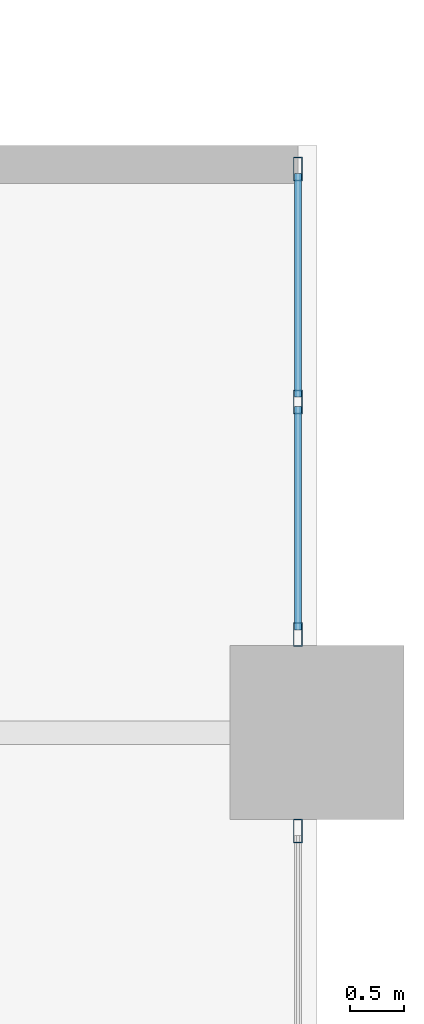
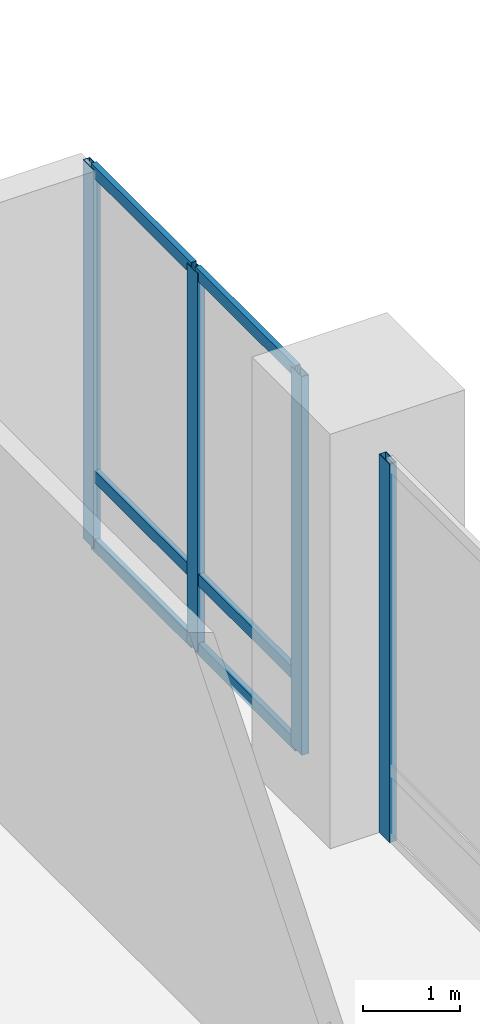
# One storey, part 7 of 23: 10 members, 2 elements without a shape of their own.
"""IFC4 building model written with IfcOpenShell, lengths in metres."""

from ifc_helpers import new_model, si_unit, direction, frame, origin, origin_2d, place, context, subcontext, project, spatial, hollow_rectangle, extrude, material, layer, layer_set, material_profile, profile_set, type_object, element, aggregate, save


model = new_model("IFC4")

# Units and contexts
model_context = context("Model", 3, precision=1e-05, world=origin(), true_north=direction((0.0, 1.0)))
body_context = subcontext(model_context, "Body", "Model", "MODEL_VIEW")
ifc_project = project(units=[si_unit("LENGTHUNIT", "METRE"), si_unit("AREAUNIT", "SQUARE_METRE"), si_unit("VOLUMEUNIT", "CUBIC_METRE"), si_unit("PLANEANGLEUNIT", "RADIAN"), si_unit("MASSUNIT", "GRAM", prefix="KILO")], contexts=[model_context])

# Site, building, storey
site_placement = place(None, origin())
site = spatial("IfcSite", under=ifc_project, at=site_placement, CompositionType="ELEMENT")
building_placement = place(site_placement, origin())
building = spatial("IfcBuilding", under=site, at=building_placement, Name="Koriwani Terraces Tower", CompositionType="ELEMENT")
storey_placement = place(building_placement, frame((0.0, 0.0, 20.800048828125)))
storey = spatial("IfcBuildingStorey", under=building, at=storey_placement, Name="L04", CompositionType="ELEMENT", Elevation=20.800048828125)

# Curtain wall, members
ifc_material = material(Name="Anodised Bronze Aluminium", Category="aluminium")
ifc_layer = layer(ifc_material, 0.199951171875, Name="Anodised Bronze Aluminium")
ifc_layer_set = layer_set([ifc_layer], Name="Anodised Bronze Aluminium")
curtain_wall_type = type_object("IfcCurtainWallType", Name="CW_PODIUM_GALLERIA", PredefinedType="NOTDEFINED", material=ifc_layer_set)
curtain_wall_1_placement = place(storey_placement, origin())
curtain_wall_1 = element("IfcCurtainWall", 1, at=curtain_wall_1_placement, inside=storey, type_object=curtain_wall_type, Name="L04 Unitised Curtain Wall (E_TIP) Bay 1", PredefinedType="NOTDEFINED")
ifc_material_profile_1 = material_profile(ifc_material, hollow_rectangle(XDim=0.0849609375, YDim=0.219970703125, WallThickness=0.008056640625, at=origin_2d()), Name="Anodised Bronze Aluminium", Category="LoadBearing")
ifc_profile_set_1 = profile_set([ifc_material_profile_1], Name="Anodised Bronze Aluminium")
member_type_1 = type_object("IfcMemberType", Name="CW_MULLION_220X85", PredefinedType="MULLION", material=ifc_profile_set_1)
member_1_placement = place(storey_placement, frame((92.22509765625, 38.782470703125, 0.0), z_axis=(0.0, 0.0, 1.0), x_axis=(1.0, 0.0, 0.0)))
member_1 = element("IfcMember", 2, at=member_1_placement, type_object=member_type_1, Name="CW-POD mullion 1", PredefinedType="MULLION", context=body_context, shape_type="SweptSolid", body=[
    extrude(hollow_rectangle(XDim=0.0849609375, YDim=0.219970703125, WallThickness=0.008056640625, at=origin_2d()), origin(), (0.0, 0.0, 1.0), 4.75),
])
member_2_placement = place(storey_placement, frame((92.22509765625, 36.642578125, 0.0), z_axis=(0.0, 0.0, 1.0), x_axis=(1.0, 0.0, 0.0)))
member_2 = element("IfcMember", 3, at=member_2_placement, type_object=member_type_1, Name="CW-POD mullion 2", PredefinedType="MULLION", context=body_context, shape_type="SweptSolid", body=[
    extrude(hollow_rectangle(XDim=0.0849609375, YDim=0.219970703125, WallThickness=0.008056640625, at=origin_2d()), origin(), (0.0, 0.0, 1.0), 4.75),
])
member_3_placement = place(storey_placement, frame((92.22509765625, 34.50244140625, 0.0), z_axis=(0.0, 0.0, 1.0), x_axis=(1.0, 0.0, 0.0)))
member_3 = element("IfcMember", 4, at=member_3_placement, type_object=member_type_1, Name="CW-POD mullion 3", PredefinedType="MULLION", context=body_context, shape_type="SweptSolid", body=[
    extrude(hollow_rectangle(XDim=0.0849609375, YDim=0.219970703125, WallThickness=0.008056640625, at=origin_2d()), origin(), (0.0, 0.0, 1.0), 4.75),
])

# Curtain wall, member
curtain_wall_2_placement = place(storey_placement, origin())
curtain_wall_2 = element("IfcCurtainWall", 5, at=curtain_wall_2_placement, inside=storey, type_object=curtain_wall_type, Name="L04 Unitised Curtain Wall (E_TIP) Bay 2", PredefinedType="NOTDEFINED")
member_4_placement = place(storey_placement, frame((92.22509765625, 32.697509765625, 0.0), z_axis=(0.0, 0.0, 1.0), x_axis=(1.0, 0.0, 0.0)))
member_4 = element("IfcMember", 6, at=member_4_placement, type_object=member_type_1, Name="CW-POD mullion 1", PredefinedType="MULLION", context=body_context, shape_type="SweptSolid", body=[
    extrude(hollow_rectangle(XDim=0.0849609375, YDim=0.219970703125, WallThickness=0.008056640625, at=origin_2d()), origin(), (0.0, 0.0, 1.0), 4.75),
])
aggregate(curtain_wall_2, [member_4])

# Member
ifc_material_profile_2 = material_profile(ifc_material, hollow_rectangle(XDim=0.06494140625, YDim=0.14990234375, WallThickness=0.0048828125, at=origin_2d()), Name="Anodised Bronze Aluminium", Category="LoadBearing")
ifc_profile_set_2 = profile_set([ifc_material_profile_2], Name="Anodised Bronze Aluminium")
member_type_2 = type_object("IfcMemberType", Name="CW_TRANSOM_150X65", PredefinedType="USERDEFINED", material=ifc_profile_set_2)
member_5_placement = place(storey_placement, frame((92.22509765625, 38.739990234375, 0.032470703125), z_axis=(0.0, -1.0, 0.0), x_axis=(1.0, 0.0, 0.0)))
member_5 = element("IfcMember", 7, at=member_5_placement, type_object=member_type_2, Name="CW-POD transom 1.1", ObjectType="TRANSOM", PredefinedType="USERDEFINED", context=body_context, shape_type="SweptSolid", body=[
    extrude(hollow_rectangle(XDim=0.06494140625, YDim=0.14990234375, WallThickness=0.0048828125, at=origin_2d()), origin(), (0.0, 0.0, 1.0), 2.054931640625),
])

member_6_placement = place(storey_placement, frame((92.22509765625, 38.739990234375, 0.89990234375), z_axis=(0.0, -1.0, 0.0), x_axis=(1.0, 0.0, 0.0)))
member_6 = element("IfcMember", 8, at=member_6_placement, type_object=member_type_2, Name="CW-POD transom 1.2", ObjectType="TRANSOM", PredefinedType="USERDEFINED", context=body_context, shape_type="SweptSolid", body=[
    extrude(hollow_rectangle(XDim=0.06494140625, YDim=0.14990234375, WallThickness=0.0048828125, at=origin_2d()), origin(), (0.0, 0.0, 1.0), 2.054931640625),
])

member_7_placement = place(storey_placement, frame((92.22509765625, 38.739990234375, 4.717529296875), z_axis=(0.0, -1.0, 0.0), x_axis=(1.0, 0.0, 0.0)))
member_7 = element("IfcMember", 9, at=member_7_placement, type_object=member_type_2, Name="CW-POD transom 1.3", ObjectType="TRANSOM", PredefinedType="USERDEFINED", context=body_context, shape_type="SweptSolid", body=[
    extrude(hollow_rectangle(XDim=0.06494140625, YDim=0.14990234375, WallThickness=0.0048828125, at=origin_2d()), origin(), (0.0, 0.0, 1.0), 2.054931640625),
])

member_8_placement = place(storey_placement, frame((92.22509765625, 36.60009765625, 0.032470703125), z_axis=(0.0, -1.0, 0.0), x_axis=(1.0, 0.0, 0.0)))
member_8 = element("IfcMember", 10, at=member_8_placement, type_object=member_type_2, Name="CW-POD transom 2.1", ObjectType="TRANSOM", PredefinedType="USERDEFINED", context=body_context, shape_type="SweptSolid", body=[
    extrude(hollow_rectangle(XDim=0.06494140625, YDim=0.14990234375, WallThickness=0.0048828125, at=origin_2d()), origin(), (0.0, 0.0, 1.0), 2.05517578125),
])

member_9_placement = place(storey_placement, frame((92.22509765625, 36.60009765625, 0.89990234375), z_axis=(0.0, -1.0, 0.0), x_axis=(1.0, 0.0, 0.0)))
member_9 = element("IfcMember", 11, at=member_9_placement, type_object=member_type_2, Name="CW-POD transom 2.2", ObjectType="TRANSOM", PredefinedType="USERDEFINED", context=body_context, shape_type="SweptSolid", body=[
    extrude(hollow_rectangle(XDim=0.06494140625, YDim=0.14990234375, WallThickness=0.0048828125, at=origin_2d()), origin(), (0.0, 0.0, 1.0), 2.05517578125),
])

member_10_placement = place(storey_placement, frame((92.22509765625, 36.60009765625, 4.717529296875), z_axis=(0.0, -1.0, 0.0), x_axis=(1.0, 0.0, 0.0)))
member_10 = element("IfcMember", 12, at=member_10_placement, type_object=member_type_2, Name="CW-POD transom 2.3", ObjectType="TRANSOM", PredefinedType="USERDEFINED", context=body_context, shape_type="SweptSolid", body=[
    extrude(hollow_rectangle(XDim=0.06494140625, YDim=0.14990234375, WallThickness=0.0048828125, at=origin_2d()), origin(), (0.0, 0.0, 1.0), 2.05517578125),
])

aggregate(curtain_wall_1, [member_1, member_2, member_3, member_5, member_6, member_7, member_8, member_9, member_10])

save(model, "model.ifc")
